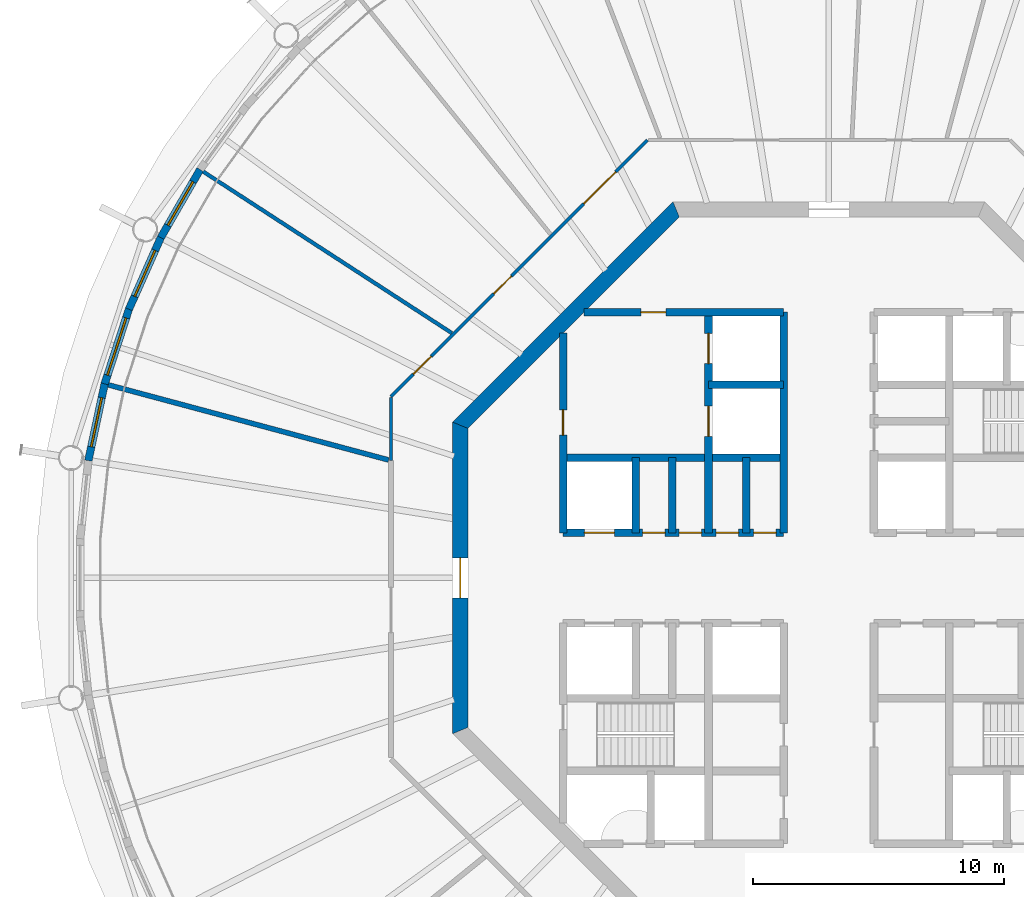
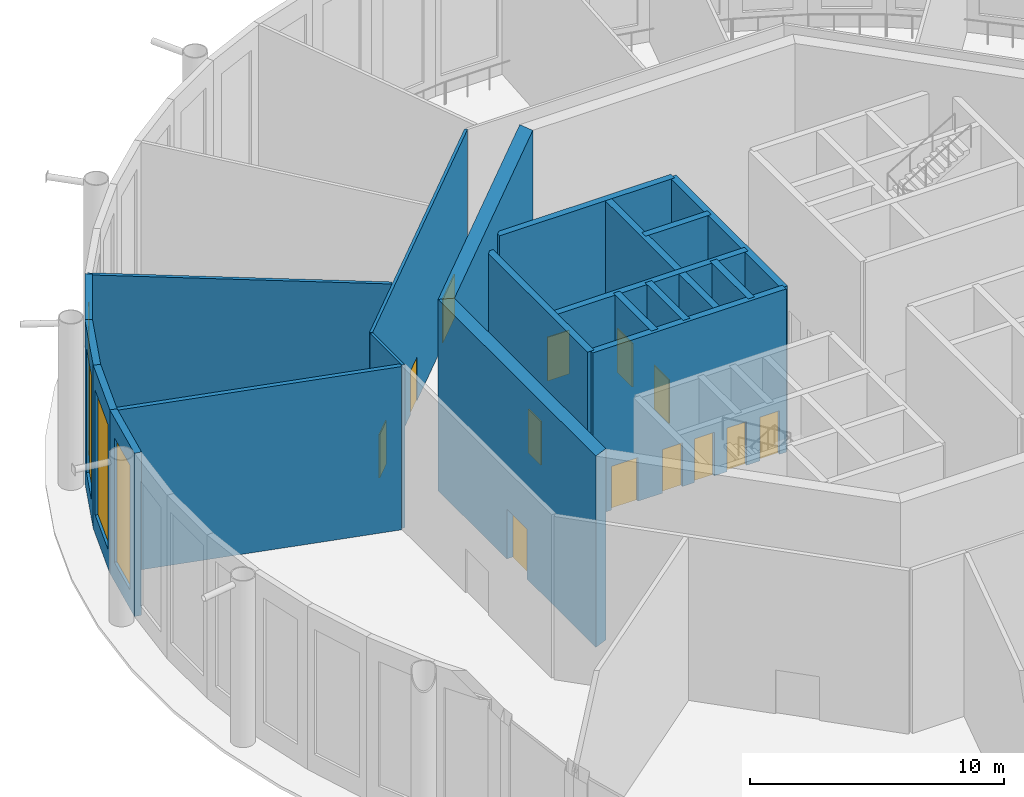
# One storey, part 6 of 17: 20 walls, 13 doors, 4 windows, 17 openings.
"""IFC4 building model written with IfcOpenShell, lengths in metres."""

from ifc_helpers import new_model, si_unit, direction, frame, frame_2d, origin, place, context, subcontext, project, spatial, polyline, rectangle, outline, extrude, material, layer, layer_set, type_object, element, fill, save


model = new_model("IFC4")

# Units and contexts
model_context = context("Model", 3, precision=1e-05, world=origin(), true_north=direction((0.0, 1.0)))
body_context = subcontext(model_context, "Body", "Model", "MODEL_VIEW")
ifc_project = project(units=[si_unit("LENGTHUNIT", "METRE"), si_unit("AREAUNIT", "SQUARE_METRE"), si_unit("VOLUMEUNIT", "CUBIC_METRE"), si_unit("PLANEANGLEUNIT", "RADIAN"), si_unit("MASSUNIT", "GRAM", prefix="KILO")], contexts=[model_context])

# Site, building, storey
site_placement = place(None, origin())
site = spatial("IfcSite", under=ifc_project, at=site_placement, CompositionType="ELEMENT")
building_placement = place(site_placement, origin())
building = spatial("IfcBuilding", under=site, at=building_placement, Name="Entoto Ring Tower", CompositionType="ELEMENT")
storey_placement = place(building_placement, frame((0.0, 0.0, 407.0)))
storey = spatial("IfcBuildingStorey", under=building, at=storey_placement, Name="L93", CompositionType="ELEMENT", Elevation=407.0)

# Walls
ifc_material_1 = material(Name="Concrete C40/50", Category="concrete")
ifc_layer_1 = layer(ifc_material_1, 0.300048828125)
ifc_layer_set_1 = layer_set([ifc_layer_1], Name="Concrete C40/50")
wall_type_1 = type_object("IfcWallType", Name="Core enclosure wall 300 mm reinforced concrete", PredefinedType="SOLIDWALL", material=ifc_layer_set_1)
wall_1_placement = place(storey_placement, frame((88.199951171875, 81.800048828125, 0.0), z_axis=(0.0, 0.0, 1.0), x_axis=(0.0, 1.0, 0.0)))
element("IfcWall", 1, at=wall_1_placement, inside=storey, type_object=wall_type_1, Name="wall-L93-011", PredefinedType="SOLIDWALL", context=body_context, shape_type="SweptSolid", body=[
    extrude(rectangle(XDim=8.800048828125, YDim=0.300048828125, at=frame_2d((4.39990234375, 0.0))), origin(), (0.0, 0.0, 1.0), 7.85009765625),
])
wall_2_placement = place(storey_placement, frame((86.699951171875, 81.800048828125, 0.0), z_axis=(0.0, 0.0, 1.0), x_axis=(0.0, 1.0, 0.0)))
element("IfcWall", 2, at=wall_2_placement, inside=storey, type_object=wall_type_1, Name="wall-L93-012", PredefinedType="SOLIDWALL", context=body_context, shape_type="SweptSolid", body=[
    extrude(rectangle(XDim=3.0, YDim=0.300048828125, at=frame_2d((1.5, 0.0))), origin(), (0.0, 0.0, 1.0), 7.85009765625),
])

# Wall, openings, doors
wall_3_placement = place(storey_placement, frame((85.199951171875, 81.800048828125, 0.0), z_axis=(0.0, 0.0, 1.0), x_axis=(0.0, 1.0, 0.0)))
wall_3 = element("IfcWall", 3, at=wall_3_placement, inside=storey, type_object=wall_type_1, Name="wall-L93-014", PredefinedType="SOLIDWALL", context=body_context, shape_type="SweptSolid", body=[
    extrude(rectangle(XDim=8.800048828125, YDim=0.300048828125, at=frame_2d((4.39990234375, 0.0))), origin(), (0.0, 0.0, 1.0), 7.85009765625),
])
opening_1_placement = place(wall_3_placement, frame((3.85009765625, 0.0, 0.0)))
opening_1 = element("IfcOpeningElement", 4, at=opening_1_placement, cuts=wall_3, Name="Opening LD", PredefinedType="OPENING", context=body_context, shape_type="SweptSolid", body=[
    extrude(rectangle(XDim=1.199951171875, YDim=2.10009765625, at=frame_2d((0.60009765625, 1.050048828125))), frame((0.0, 0.16015625, 0.0), z_axis=(0.0, -1.0, 0.0), x_axis=(1.0, 0.0, 0.0)), (0.0, 0.0, 1.0), 0.320068359375),
])
opening_2_placement = place(wall_3_placement, frame((6.75, 0.0, 0.0)))
opening_2 = element("IfcOpeningElement", 5, at=opening_2_placement, cuts=wall_3, Name="Opening LD", PredefinedType="OPENING", context=body_context, shape_type="SweptSolid", body=[
    extrude(rectangle(XDim=1.199951171875, YDim=2.10009765625, at=frame_2d((0.60009765625, 1.050048828125))), frame((0.0, 0.16015625, 0.0), z_axis=(0.0, -1.0, 0.0), x_axis=(1.0, 0.0, 0.0)), (0.0, 0.0, 1.0), 0.320068359375),
])
ifc_material_2 = material(Name="Steel and glass door leaf", Category="steel")
ifc_layer_2 = layer(ifc_material_2, 0.050048828125)
ifc_layer_set_2 = layer_set([ifc_layer_2], Name="Steel and glass door leaf")
door_type_1 = type_object("IfcDoorType", Name="Landing door 1200 x 2100 sliding", OperationType="DOUBLE_DOOR_SLIDING", PredefinedType="DOOR", material=ifc_layer_set_2)
door_1_placement = place(opening_1_placement, origin())
door_1 = element("IfcDoor", 6, at=door_1_placement, inside=storey, type_object=door_type_1, Name="Landing door FF1", OperationType="SLIDING_TO_RIGHT", OverallHeight=2.10009765625, OverallWidth=1.199951171875, PredefinedType="DOOR", context=body_context, shape_type="SweptSolid", body=[
    extrude(rectangle(XDim=1.199951171875, YDim=2.10009765625, at=frame_2d((0.60009765625, 1.050048828125))), frame((0.0, 0.02490234375, 0.0), z_axis=(0.0, -1.0, 0.0), x_axis=(1.0, 0.0, 0.0)), (0.0, 0.0, 1.0), 0.050048828125),
])
fill(opening_1, door_1)
door_2_placement = place(opening_2_placement, origin())
door_2 = element("IfcDoor", 7, at=door_2_placement, inside=storey, type_object=door_type_1, Name="Landing door FF2", OperationType="SLIDING_TO_RIGHT", OverallHeight=2.10009765625, OverallWidth=1.199951171875, PredefinedType="DOOR", context=body_context, shape_type="SweptSolid", body=[
    extrude(rectangle(XDim=1.199951171875, YDim=2.10009765625, at=frame_2d((0.60009765625, 1.050048828125))), frame((0.0, 0.02490234375, 0.0), z_axis=(0.0, -1.0, 0.0), x_axis=(1.0, 0.0, 0.0)), (0.0, 0.0, 1.0), 0.050048828125),
])
fill(opening_2, door_2)

# Walls
for number, where, z_axis, x_axis, name in (
    (8, (83.75, 81.800048828125, 0.0), (0.0, 0.0, 1.0), (0.0, 1.0, 0.0), "wall-L93-016"),
    (9, (82.300048828125, 81.800048828125, 0.0), (0.0, 0.0, 1.0), (0.0, 1.0, 0.0), "wall-L93-019"),
):
    element("IfcWall", number, at=place(storey_placement, frame(where, z_axis=z_axis, x_axis=x_axis)), inside=storey, type_object=wall_type_1, Name=name, PredefinedType="SOLIDWALL", context=body_context, shape_type="SweptSolid", body=[
        extrude(rectangle(XDim=3.0, YDim=0.300048828125, at=frame_2d((1.5, 0.0))), origin(), (0.0, 0.0, 1.0), 7.85009765625),
    ])

# Wall, opening, door
wall_4_placement = place(storey_placement, frame((79.39990234375, 81.800048828125, 0.0), z_axis=(0.0, 0.0, 1.0), x_axis=(0.0, 1.0, 0.0)))
wall_4 = element("IfcWall", 10, at=wall_4_placement, inside=storey, type_object=wall_type_1, Name="wall-L93-021", PredefinedType="SOLIDWALL", context=body_context, shape_type="SweptSolid", body=[
    extrude(rectangle(XDim=7.964599609375, YDim=0.300048828125, at=frame_2d((3.982421875, 0.0))), origin(), (0.0, 0.0, 1.0), 7.85009765625),
])
opening_3_placement = place(wall_4_placement, frame((3.89990234375, 0.0, 0.0)))
opening_3 = element("IfcOpeningElement", 11, at=opening_3_placement, cuts=wall_4, Name="Opening K-88", PredefinedType="OPENING", context=body_context, shape_type="SweptSolid", body=[
    extrude(rectangle(XDim=1.0, YDim=2.10009765625, at=frame_2d((0.5, 1.050048828125))), frame((0.0, 0.16015625, 0.0), z_axis=(0.0, -1.0, 0.0), x_axis=(1.0, 0.0, 0.0)), (0.0, 0.0, 1.0), 0.320068359375),
])
ifc_material_3 = material(Name="Steel door leaf, fire rated", Category="steel")
ifc_layer_3 = layer(ifc_material_3, 0.050048828125)
ifc_layer_set_3 = layer_set([ifc_layer_3], Name="Steel door leaf, fire rated")
door_type_2 = type_object("IfcDoorType", Name="Fire door FD60 1000 x 2100 single leaf", OperationType="NOTDEFINED", PredefinedType="DOOR", material=ifc_layer_set_3)
door_3_placement = place(opening_3_placement, frame((1.0, 0.0, 0.0), z_axis=(0.0, 0.0, 1.0), x_axis=(-1.0, 0.0, 0.0)))
door_3 = element("IfcDoor", 12, at=door_3_placement, inside=storey, type_object=door_type_2, Name="Door K-88", OperationType="SINGLE_SWING_LEFT", OverallHeight=2.10009765625, OverallWidth=1.0, PredefinedType="DOOR", context=body_context, shape_type="SweptSolid", body=[
    extrude(rectangle(XDim=1.0, YDim=2.10009765625, at=frame_2d((0.5, 1.050048828125))), frame((0.0, 0.02490234375, 0.0), z_axis=(0.0, -1.0, 0.0), x_axis=(1.0, 0.0, 0.0)), (0.0, 0.0, 1.0), 0.050048828125),
])
fill(opening_3, door_3)

# Wall, openings, doors
wall_5_placement = place(storey_placement, frame((79.39990234375, 81.800048828125, 0.0), z_axis=(0.0, 0.0, 1.0), x_axis=(1.0, 0.0, 0.0)))
wall_5 = element("IfcWall", 13, at=wall_5_placement, inside=storey, type_object=wall_type_1, Name="wall-L93-030", PredefinedType="SOLIDWALL", context=body_context, shape_type="SweptSolid", body=[
    extrude(rectangle(XDim=8.800048828125, YDim=0.300048828125, at=frame_2d((4.39990234375, 0.0))), origin(), (0.0, 0.0, 1.0), 7.85009765625),
])
opening_4_placement = place(wall_5_placement, frame((0.85009765625, 0.0, 0.0)))
opening_4 = element("IfcOpeningElement", 14, at=opening_4_placement, cuts=wall_5, Name="Opening LD", PredefinedType="OPENING", context=body_context, shape_type="SweptSolid", body=[
    extrude(rectangle(XDim=1.199951171875, YDim=2.10009765625, at=frame_2d((0.60009765625, 1.050048828125))), frame((0.0, 0.16015625, 0.0), z_axis=(0.0, -1.0, 0.0), x_axis=(1.0, 0.0, 0.0)), (0.0, 0.0, 1.0), 0.320068359375),
])
opening_5_placement = place(wall_5_placement, frame((3.175048828125, 0.0, 0.0)))
opening_5 = element("IfcOpeningElement", 15, at=opening_5_placement, cuts=wall_5, Name="Opening K-14", PredefinedType="OPENING", context=body_context, shape_type="SweptSolid", body=[
    extrude(rectangle(XDim=0.89990234375, YDim=2.10009765625, at=frame_2d((0.449951171875, 1.050048828125))), frame((0.0, 0.16015625, 0.0), z_axis=(0.0, -1.0, 0.0), x_axis=(1.0, 0.0, 0.0)), (0.0, 0.0, 1.0), 0.320068359375),
])
opening_6_placement = place(wall_5_placement, frame((4.625, 0.0, 0.0)))
opening_6 = element("IfcOpeningElement", 16, at=opening_6_placement, cuts=wall_5, Name="Opening K-15", PredefinedType="OPENING", context=body_context, shape_type="SweptSolid", body=[
    extrude(rectangle(XDim=0.89990234375, YDim=2.10009765625, at=frame_2d((0.449951171875, 1.050048828125))), frame((0.0, 0.16015625, 0.0), z_axis=(0.0, -1.0, 0.0), x_axis=(1.0, 0.0, 0.0)), (0.0, 0.0, 1.0), 0.320068359375),
])
opening_7_placement = place(wall_5_placement, frame((6.10009765625, 0.0, 0.0)))
opening_7 = element("IfcOpeningElement", 17, at=opening_7_placement, cuts=wall_5, Name="Opening K-25", PredefinedType="OPENING", context=body_context, shape_type="SweptSolid", body=[
    extrude(rectangle(XDim=0.89990234375, YDim=2.10009765625, at=frame_2d((0.449951171875, 1.050048828125))), frame((0.0, 0.16015625, 0.0), z_axis=(0.0, -1.0, 0.0), x_axis=(1.0, 0.0, 0.0)), (0.0, 0.0, 1.0), 0.320068359375),
])
opening_8_placement = place(wall_5_placement, frame((7.60009765625, 0.0, 0.0)))
opening_8 = element("IfcOpeningElement", 18, at=opening_8_placement, cuts=wall_5, Name="Opening K-77", PredefinedType="OPENING", context=body_context, shape_type="SweptSolid", body=[
    extrude(rectangle(XDim=0.89990234375, YDim=2.10009765625, at=frame_2d((0.449951171875, 1.050048828125))), frame((0.0, 0.16015625, 0.0), z_axis=(0.0, -1.0, 0.0), x_axis=(1.0, 0.0, 0.0)), (0.0, 0.0, 1.0), 0.320068359375),
])
ifc_material_4 = material(Name="Steel door leaf, fire rated", Category="steel")
ifc_layer_4 = layer(ifc_material_4, 0.050048828125)
ifc_layer_set_4 = layer_set([ifc_layer_4], Name="Steel door leaf, fire rated")
door_type_3 = type_object("IfcDoorType", Name="Core door 900 x 2100 single leaf", OperationType="NOTDEFINED", PredefinedType="DOOR", material=ifc_layer_set_4)
door_4_placement = place(opening_5_placement, origin())
door_4 = element("IfcDoor", 19, at=door_4_placement, inside=storey, type_object=door_type_3, Name="Door K-14", OperationType="SINGLE_SWING_RIGHT", OverallHeight=2.10009765625, OverallWidth=0.89990234375, PredefinedType="DOOR", context=body_context, shape_type="SweptSolid", body=[
    extrude(rectangle(XDim=0.89990234375, YDim=2.10009765625, at=frame_2d((0.449951171875, 1.050048828125))), frame((0.0, 0.02490234375, 0.0), z_axis=(0.0, -1.0, 0.0), x_axis=(1.0, 0.0, 0.0)), (0.0, 0.0, 1.0), 0.050048828125),
])
fill(opening_5, door_4)
door_5_placement = place(opening_6_placement, frame((0.89990234375, 0.0, 0.0), z_axis=(0.0, 0.0, 1.0), x_axis=(-1.0, 0.0, 0.0)))
door_5 = element("IfcDoor", 20, at=door_5_placement, inside=storey, type_object=door_type_3, Name="Door K-15", OperationType="SINGLE_SWING_RIGHT", OverallHeight=2.10009765625, OverallWidth=0.89990234375, PredefinedType="DOOR", context=body_context, shape_type="SweptSolid", body=[
    extrude(rectangle(XDim=0.89990234375, YDim=2.10009765625, at=frame_2d((0.449951171875, 1.050048828125))), frame((0.0, 0.02490234375, 0.0), z_axis=(0.0, -1.0, 0.0), x_axis=(1.0, 0.0, 0.0)), (0.0, 0.0, 1.0), 0.050048828125),
])
fill(opening_6, door_5)
door_6_placement = place(opening_7_placement, frame((0.89990234375, 0.0, 0.0), z_axis=(0.0, 0.0, 1.0), x_axis=(-1.0, 0.0, 0.0)))
door_6 = element("IfcDoor", 21, at=door_6_placement, inside=storey, type_object=door_type_3, Name="Door K-25", OperationType="SINGLE_SWING_RIGHT", OverallHeight=2.10009765625, OverallWidth=0.89990234375, PredefinedType="DOOR", context=body_context, shape_type="SweptSolid", body=[
    extrude(rectangle(XDim=0.89990234375, YDim=2.10009765625, at=frame_2d((0.449951171875, 1.050048828125))), frame((0.0, 0.02490234375, 0.0), z_axis=(0.0, -1.0, 0.0), x_axis=(1.0, 0.0, 0.0)), (0.0, 0.0, 1.0), 0.050048828125),
])
fill(opening_7, door_6)
door_7_placement = place(opening_8_placement, frame((0.89990234375, 0.0, 0.0), z_axis=(0.0, 0.0, 1.0), x_axis=(-1.0, 0.0, 0.0)))
door_7 = element("IfcDoor", 22, at=door_7_placement, inside=storey, type_object=door_type_3, Name="Door K-77", OperationType="SINGLE_SWING_RIGHT", OverallHeight=2.10009765625, OverallWidth=0.89990234375, PredefinedType="DOOR", context=body_context, shape_type="SweptSolid", body=[
    extrude(rectangle(XDim=0.89990234375, YDim=2.10009765625, at=frame_2d((0.449951171875, 1.050048828125))), frame((0.0, 0.02490234375, 0.0), z_axis=(0.0, -1.0, 0.0), x_axis=(1.0, 0.0, 0.0)), (0.0, 0.0, 1.0), 0.050048828125),
])
fill(opening_8, door_7)
door_8_placement = place(opening_4_placement, origin())
door_8 = element("IfcDoor", 23, at=door_8_placement, inside=storey, type_object=door_type_1, Name="Landing door SH1", OperationType="SLIDING_TO_RIGHT", OverallHeight=2.10009765625, OverallWidth=1.199951171875, PredefinedType="DOOR", context=body_context, shape_type="SweptSolid", body=[
    extrude(rectangle(XDim=1.199951171875, YDim=2.10009765625, at=frame_2d((0.60009765625, 1.050048828125))), frame((0.0, 0.02490234375, 0.0), z_axis=(0.0, -1.0, 0.0), x_axis=(1.0, 0.0, 0.0)), (0.0, 0.0, 1.0), 0.050048828125),
])
fill(opening_4, door_8)

# Walls
wall_6_placement = place(storey_placement, frame((79.39990234375, 84.800048828125, 0.0), z_axis=(0.0, 0.0, 1.0), x_axis=(1.0, 0.0, 0.0)))
element("IfcWall", 24, at=wall_6_placement, inside=storey, type_object=wall_type_1, Name="wall-L93-032", PredefinedType="SOLIDWALL", context=body_context, shape_type="SweptSolid", body=[
    extrude(rectangle(XDim=8.800048828125, YDim=0.300048828125, at=frame_2d((4.39990234375, 0.0))), origin(), (0.0, 0.0, 1.0), 7.85009765625),
])
wall_7_placement = place(storey_placement, frame((85.199951171875, 87.699951171875, 0.0), z_axis=(0.0, 0.0, 1.0), x_axis=(1.0, 0.0, 0.0)))
element("IfcWall", 25, at=wall_7_placement, inside=storey, type_object=wall_type_1, Name="wall-L93-035", PredefinedType="SOLIDWALL", context=body_context, shape_type="SweptSolid", body=[
    extrude(rectangle(XDim=3.0, YDim=0.300048828125, at=frame_2d((1.5, 0.0))), origin(), (0.0, 0.0, 1.0), 7.85009765625),
])

# Wall, opening, door
wall_8_placement = place(storey_placement, frame((80.2353515625, 90.60009765625, 0.0), z_axis=(0.0, 0.0, 1.0), x_axis=(1.0, 0.0, 0.0)))
wall_8 = element("IfcWall", 26, at=wall_8_placement, inside=storey, type_object=wall_type_1, Name="wall-L93-037", PredefinedType="SOLIDWALL", context=body_context, shape_type="SweptSolid", body=[
    extrude(rectangle(XDim=7.964599609375, YDim=0.300048828125, at=frame_2d((3.982421875, 0.0))), origin(), (0.0, 0.0, 1.0), 7.85009765625),
])
opening_9_placement = place(wall_8_placement, frame((2.2646484375, 0.0, 0.0)))
opening_9 = element("IfcOpeningElement", 27, at=opening_9_placement, cuts=wall_8, Name="Opening K-35", PredefinedType="OPENING", context=body_context, shape_type="SweptSolid", body=[
    extrude(rectangle(XDim=1.0, YDim=2.10009765625, at=frame_2d((0.5, 1.050048828125))), frame((0.0, 0.16015625, 0.0), z_axis=(0.0, -1.0, 0.0), x_axis=(1.0, 0.0, 0.0)), (0.0, 0.0, 1.0), 0.320068359375),
])
door_9_placement = place(opening_9_placement, frame((1.0, 0.0, 0.0), z_axis=(0.0, 0.0, 1.0), x_axis=(-1.0, 0.0, 0.0)))
door_9 = element("IfcDoor", 28, at=door_9_placement, inside=storey, type_object=door_type_2, Name="Door K-35", OperationType="SINGLE_SWING_RIGHT", OverallHeight=2.10009765625, OverallWidth=1.0, PredefinedType="DOOR", context=body_context, shape_type="SweptSolid", body=[
    extrude(rectangle(XDim=1.0, YDim=2.10009765625, at=frame_2d((0.5, 1.050048828125))), frame((0.0, 0.02490234375, 0.0), z_axis=(0.0, -1.0, 0.0), x_axis=(1.0, 0.0, 0.0)), (0.0, 0.0, 1.0), 0.050048828125),
])
fill(opening_9, door_9)

# Wall
ifc_material_5 = material(Name="Concrete C40/50", Category="concrete")
ifc_layer_5 = layer(ifc_material_5, 0.60009765625)
ifc_layer_set_5 = layer_set([ifc_layer_5], Name="Concrete C40/50")
wall_type_2 = type_object("IfcWallType", Name="Core shear wall 600 mm reinforced concrete C40/50 to roof parapet", PredefinedType="SHEAR", material=ifc_layer_set_5)
wall_9_placement = place(storey_placement, frame((83.9111328125, 94.699951171875, 0.0), z_axis=(0.0, 0.0, 1.0), x_axis=(-0.707106781187, -0.707106781187, 0.0)))
element("IfcWall", 29, at=wall_9_placement, inside=storey, type_object=wall_type_2, Name="wall-L93-core-3", PredefinedType="SHEAR", context=body_context, shape_type="SweptSolid", body=[
    extrude(outline(polyline([(-0.124267578125, -0.300048828125), (12.30224609375, -0.300048828125), (12.0537109375, 0.300048828125), (0.124267578125, 0.300048828125), (-0.124267578125, -0.300048828125)])), origin(), (0.0, 0.0, 1.0), 9.199951171875),
])

# Wall, opening, door
wall_10_placement = place(storey_placement, frame((75.300048828125, 86.0888671875, 0.0), z_axis=(0.0, 0.0, 1.0), x_axis=(0.0, -1.0, 0.0)))
wall_10 = element("IfcWall", 30, at=wall_10_placement, inside=storey, type_object=wall_type_2, Name="wall-L93-core-4", PredefinedType="SHEAR", context=body_context, shape_type="SweptSolid", body=[
    extrude(outline(polyline([(-0.124267578125, -0.300048828125), (12.302001953125, -0.300048828125), (12.053466796875, 0.300048828125), (0.124267578125, 0.300048828125), (-0.124267578125, -0.300048828125)])), origin(), (0.0, 0.0, 1.0), 9.199951171875),
])
opening_10_placement = place(wall_10_placement, frame((5.288818359375, 0.0, 0.0)))
opening_10 = element("IfcOpeningElement", 31, at=opening_10_placement, cuts=wall_10, Name="Opening K-03", PredefinedType="OPENING", context=body_context, shape_type="SweptSolid", body=[
    extrude(rectangle(XDim=1.60009765625, YDim=2.39990234375, at=frame_2d((0.800048828125, 1.199951171875))), frame((0.0, 0.31005859375, 0.0), z_axis=(0.0, -1.0, 0.0), x_axis=(1.0, 0.0, 0.0)), (0.0, 0.0, 1.0), 0.6201171875),
])
ifc_material_6 = material(Name="Steel door leaf, fire rated", Category="steel")
ifc_layer_6 = layer(ifc_material_6, 0.050048828125)
ifc_layer_set_6 = layer_set([ifc_layer_6], Name="Steel door leaf, fire rated")
door_type_4 = type_object("IfcDoorType", Name="Entrance door FD60 1600 x 2400 double leaf", OperationType="DOUBLE_DOOR_SINGLE_SWING", PredefinedType="DOOR", material=ifc_layer_set_6)
door_10_placement = place(opening_10_placement, origin())
door_10 = element("IfcDoor", 32, at=door_10_placement, inside=storey, type_object=door_type_4, Name="Entrance door K-03", OperationType="DOUBLE_DOOR_SINGLE_SWING", OverallHeight=2.39990234375, OverallWidth=1.60009765625, PredefinedType="DOOR", context=body_context, shape_type="SweptSolid", body=[
    extrude(rectangle(XDim=1.60009765625, YDim=2.39990234375, at=frame_2d((0.800048828125, 1.199951171875))), frame((0.0, 0.02490234375, 0.0), z_axis=(0.0, -1.0, 0.0), x_axis=(1.0, 0.0, 0.0)), (0.0, 0.0, 1.0), 0.050048828125),
])
fill(opening_10, door_10)

# Wall, openings, doors
ifc_material_7 = material(Name="Fire-resisting plasterboard on steel studs", Category="steel")
ifc_layer_7 = layer(ifc_material_7, 0.125)
ifc_layer_set_7 = layer_set([ifc_layer_7], Name="Fire-resisting plasterboard on steel studs")
wall_type_3 = type_object("IfcWallType", Name="Corridor wall 125 mm one-hour plasterboard on steel studs", PredefinedType="PARTITIONING", material=ifc_layer_set_7)
wall_11_placement = place(storey_placement, frame((72.53759765625, 87.233154296875, 0.0), z_axis=(0.0, 0.0, 1.0), x_axis=(0.707106781187, 0.707106781187, 0.0)))
wall_11 = element("IfcWall", 33, at=wall_11_placement, inside=storey, type_object=wall_type_3, Name="partition-L93-001", PredefinedType="PARTITIONING", context=body_context, shape_type="SweptSolid", body=[
    extrude(rectangle(XDim=14.46630859375, YDim=0.125, at=frame_2d((7.233154296875, 0.0))), origin(), (0.0, 0.0, 1.0), 7.85009765625),
])
opening_11_placement = place(wall_11_placement, frame((10.867431640625, 0.0, 0.0)))
opening_11 = element("IfcOpeningElement", 34, at=opening_11_placement, cuts=wall_11, Name="Opening A41-D05", PredefinedType="OPENING", context=body_context, shape_type="SweptSolid", body=[
    extrude(rectangle(XDim=1.800048828125, YDim=2.10009765625, at=frame_2d((0.89990234375, 1.050048828125))), frame((0.0, 0.072509765625, 0.0), z_axis=(0.0, -1.0, 0.0), x_axis=(1.0, 0.0, 0.0)), (0.0, 0.0, 1.0), 0.14501953125),
])
opening_12_placement = place(wall_11_placement, frame((5.794921875, 0.0, 0.0)))
opening_12 = element("IfcOpeningElement", 35, at=opening_12_placement, cuts=wall_11, Name="Opening A41-D06", PredefinedType="OPENING", context=body_context, shape_type="SweptSolid", body=[
    extrude(rectangle(XDim=1.0, YDim=2.10009765625, at=frame_2d((0.5, 1.050048828125))), frame((0.0, 0.072509765625, 0.0), z_axis=(0.0, -1.0, 0.0), x_axis=(1.0, 0.0, 0.0)), (0.0, 0.0, 1.0), 0.14501953125),
])
opening_13_placement = place(wall_11_placement, frame((1.2607421875, 0.0, 0.0)))
opening_13 = element("IfcOpeningElement", 36, at=opening_13_placement, cuts=wall_11, Name="Opening A41-D07", PredefinedType="OPENING", context=body_context, shape_type="SweptSolid", body=[
    extrude(rectangle(XDim=1.0, YDim=2.10009765625, at=frame_2d((0.5, 1.050048828125))), frame((0.0, 0.072509765625, 0.0), z_axis=(0.0, -1.0, 0.0), x_axis=(1.0, 0.0, 0.0)), (0.0, 0.0, 1.0), 0.14501953125),
])
ifc_material_8 = material(Name="Fire-resisting timber door set", Category="wood")
door_type_5 = type_object("IfcDoorType", Name="Door 1000 x 2100 single leaf FD30S fire door", OperationType="NOTDEFINED", PredefinedType="DOOR", material=ifc_material_8)
door_11_placement = place(opening_12_placement, origin())
door_11 = element("IfcDoor", 37, at=door_11_placement, inside=storey, type_object=door_type_5, Name="Door A41-D06", OperationType="SINGLE_SWING_RIGHT", OverallHeight=2.10009765625, OverallWidth=1.0, PredefinedType="DOOR", context=body_context, shape_type="SweptSolid", body=[
    extrude(rectangle(XDim=1.0, YDim=2.10009765625, at=frame_2d((0.5, 1.050048828125))), frame((0.0, 0.02490234375, 0.0), z_axis=(0.0, -1.0, 0.0), x_axis=(1.0, 0.0, 0.0)), (0.0, 0.0, 1.0), 0.050048828125),
])
fill(opening_12, door_11)
door_12_placement = place(opening_13_placement, origin())
door_12 = element("IfcDoor", 38, at=door_12_placement, inside=storey, type_object=door_type_5, Name="Door A41-D07", OperationType="SINGLE_SWING_LEFT", OverallHeight=2.10009765625, OverallWidth=1.0, PredefinedType="DOOR", context=body_context, shape_type="SweptSolid", body=[
    extrude(rectangle(XDim=1.0, YDim=2.10009765625, at=frame_2d((0.5, 1.050048828125))), frame((0.0, 0.02490234375, 0.0), z_axis=(0.0, -1.0, 0.0), x_axis=(1.0, 0.0, 0.0)), (0.0, 0.0, 1.0), 0.050048828125),
])
fill(opening_13, door_12)
ifc_material_9 = material(Name="Fire-resisting timber door set", Category="wood")
door_type_6 = type_object("IfcDoorType", Name="Door 1800 x 2100 double leaf FD30S fire door", OperationType="DOUBLE_DOOR_SINGLE_SWING", PredefinedType="DOOR", material=ifc_material_9)
door_13_placement = place(opening_11_placement, origin())
door_13 = element("IfcDoor", 39, at=door_13_placement, inside=storey, type_object=door_type_6, Name="Door A41-D05", OperationType="DOUBLE_DOOR_SINGLE_SWING", OverallHeight=2.10009765625, OverallWidth=1.800048828125, PredefinedType="DOOR", context=body_context, shape_type="SweptSolid", body=[
    extrude(rectangle(XDim=1.800048828125, YDim=2.10009765625, at=frame_2d((0.89990234375, 1.050048828125))), frame((0.0, 0.02490234375, 0.0), z_axis=(0.0, -1.0, 0.0), x_axis=(1.0, 0.0, 0.0)), (0.0, 0.0, 1.0), 0.050048828125),
])
fill(opening_11, door_13)

# Wall
wall_12_placement = place(storey_placement, frame((72.53759765625, 84.67919921875, 0.0), z_axis=(0.0, 0.0, 1.0), x_axis=(0.0, 1.0, 0.0)))
element("IfcWall", 40, at=wall_12_placement, inside=storey, type_object=wall_type_3, Name="partition-L93-006", PredefinedType="PARTITIONING", context=body_context, shape_type="SweptSolid", body=[
    extrude(rectangle(XDim=2.510009765625, YDim=0.125, at=frame_2d((1.2548828125, 0.0))), origin(), (0.0, 0.0, 1.0), 7.85009765625),
])

# Wall, opening, window
ifc_material_10 = material(Name="Insulated aluminium rainscreen on steel studs", Category="steel")
ifc_layer_8 = layer(ifc_material_10, 0.300048828125)
ifc_layer_set_8 = layer_set([ifc_layer_8], Name="Insulated aluminium rainscreen on steel studs")
wall_type_4 = type_object("IfcWallType", Name="Observation facade wall 300 mm", PredefinedType="STANDARD", material=ifc_layer_set_8)
wall_13_placement = place(storey_placement, frame((64.923828125, 96.28466796875, 0.0), z_axis=(0.0, 0.0, 1.0), x_axis=(-0.5000150537, -0.866016712352, 0.0)))
wall_13 = element("IfcWall", 41, at=wall_13_placement, inside=storey, type_object=wall_type_4, Name="OBSERVATION WALL 23", PredefinedType="STANDARD", context=body_context, shape_type="SweptSolid", body=[
    extrude(outline(polyline([(-0.0078125, -0.14990234375), (3.1376953125, -0.14990234375), (3.1220703125, 0.14990234375), (0.0078125, 0.14990234375), (-0.0078125, -0.14990234375)])), origin(), (0.0, 0.0, 1.0), 7.85009765625),
])
opening_14_placement = place(wall_13_placement, frame((0.56494140625, 0.0, 0.89990234375)))
opening_14 = element("IfcOpeningElement", 42, at=opening_14_placement, cuts=wall_13, Name="Opening W2", PredefinedType="OPENING", context=body_context, shape_type="SweptSolid", body=[
    extrude(rectangle(XDim=2.0, YDim=6.0, at=frame_2d((1.0, 3.0))), frame((0.0, 0.16015625, 0.0), z_axis=(0.0, -1.0, 0.0), x_axis=(1.0, 0.0, 0.0)), (0.0, 0.0, 1.0), 0.320068359375),
])
ifc_material_11 = material(Name="Clear low-iron glass in anodised aluminium frame", Category="aluminium")
window_type_1 = type_object("IfcWindowType", Name="Observation window W2 2000 x 6000 mm fixed", PartitioningType="SINGLE_PANEL", PredefinedType="WINDOW", material=ifc_material_11)
window_1_placement = place(opening_14_placement, origin())
window_1 = element("IfcWindow", 43, at=window_1_placement, inside=storey, type_object=window_type_1, Name="OBSERVATION WINDOW 23", OverallHeight=6.0, OverallWidth=2.0, PartitioningType="SINGLE_PANEL", PredefinedType="WINDOW", context=body_context, shape_type="SweptSolid", body=[
    extrude(rectangle(XDim=2.0, YDim=6.0, at=frame_2d((1.0, 3.0))), frame((0.0, 0.030029296875, 0.0), z_axis=(0.0, -1.0, 0.0), x_axis=(1.0, 0.0, 0.0)), (0.0, 0.0, 1.0), 0.06005859375),
])
fill(opening_14, window_1)

wall_14_placement = place(storey_placement, frame((63.35888671875, 93.57421875, 0.0), z_axis=(0.0, 0.0, 1.0), x_axis=(-0.406731881889, -0.913547577445, 0.0)))
wall_14 = element("IfcWall", 44, at=wall_14_placement, inside=storey, type_object=wall_type_4, Name="OBSERVATION WALL 24", PredefinedType="STANDARD", context=body_context, shape_type="SweptSolid", body=[
    extrude(outline(polyline([(-0.0078125, -0.14990234375), (3.137451171875, -0.14990234375), (3.121826171875, 0.14990234375), (0.0078125, 0.14990234375), (-0.0078125, -0.14990234375)])), origin(), (0.0, 0.0, 1.0), 7.85009765625),
])
opening_15_placement = place(wall_14_placement, frame((0.56494140625, 0.0, 0.89990234375)))
opening_15 = element("IfcOpeningElement", 45, at=opening_15_placement, cuts=wall_14, Name="Opening W2", PredefinedType="OPENING", context=body_context, shape_type="SweptSolid", body=[
    extrude(rectangle(XDim=2.0, YDim=6.0, at=frame_2d((1.0, 3.0))), frame((0.0, 0.16015625, 0.0), z_axis=(0.0, -1.0, 0.0), x_axis=(1.0, 0.0, 0.0)), (0.0, 0.0, 1.0), 0.320068359375),
])
window_2_placement = place(opening_15_placement, origin())
window_2 = element("IfcWindow", 46, at=window_2_placement, inside=storey, type_object=window_type_1, Name="OBSERVATION WINDOW 24", OverallHeight=6.0, OverallWidth=2.0, PartitioningType="SINGLE_PANEL", PredefinedType="WINDOW", context=body_context, shape_type="SweptSolid", body=[
    extrude(rectangle(XDim=2.0, YDim=6.0, at=frame_2d((1.0, 3.0))), frame((0.0, 0.030029296875, 0.0), z_axis=(0.0, -1.0, 0.0), x_axis=(1.0, 0.0, 0.0)), (0.0, 0.0, 1.0), 0.06005859375),
])
fill(opening_15, window_2)

wall_15_placement = place(storey_placement, frame((62.0859375, 90.715087890625, 0.0), z_axis=(0.0, 0.0, 1.0), x_axis=(-0.309010219079, -0.951058717696, 0.0)))
wall_15 = element("IfcWall", 47, at=wall_15_placement, inside=storey, type_object=wall_type_4, Name="OBSERVATION WALL 25", PredefinedType="STANDARD", context=body_context, shape_type="SweptSolid", body=[
    extrude(outline(polyline([(-0.0078125, -0.14990234375), (3.13720703125, -0.14990234375), (3.12158203125, 0.14990234375), (0.0078125, 0.14990234375), (-0.0078125, -0.14990234375)])), origin(), (0.0, 0.0, 1.0), 7.85009765625),
])
opening_16_placement = place(wall_15_placement, frame((0.36474609375, 0.0, 0.89990234375)))
opening_16 = element("IfcOpeningElement", 48, at=opening_16_placement, cuts=wall_15, Name="Opening W1", PredefinedType="OPENING", context=body_context, shape_type="SweptSolid", body=[
    extrude(rectangle(XDim=2.39990234375, YDim=6.0, at=frame_2d((1.199951171875, 3.0))), frame((0.0, 0.16015625, 0.0), z_axis=(0.0, -1.0, 0.0), x_axis=(1.0, 0.0, 0.0)), (0.0, 0.0, 1.0), 0.320068359375),
])
ifc_material_12 = material(Name="Clear low-iron glass in anodised aluminium frame", Category="aluminium")
window_type_2 = type_object("IfcWindowType", Name="Observation window W1 2400 x 6000 mm fixed", PartitioningType="SINGLE_PANEL", PredefinedType="WINDOW", material=ifc_material_12)
window_3_placement = place(opening_16_placement, origin())
window_3 = element("IfcWindow", 49, at=window_3_placement, inside=storey, type_object=window_type_2, Name="OBSERVATION WINDOW 25", OverallHeight=6.0, OverallWidth=2.39990234375, PartitioningType="SINGLE_PANEL", PredefinedType="WINDOW", context=body_context, shape_type="SweptSolid", body=[
    extrude(rectangle(XDim=2.39990234375, YDim=6.0, at=frame_2d((1.199951171875, 3.0))), frame((0.0, 0.030029296875, 0.0), z_axis=(0.0, -1.0, 0.0), x_axis=(1.0, 0.0, 0.0)), (0.0, 0.0, 1.0), 0.06005859375),
])
fill(opening_16, window_3)

wall_16_placement = place(storey_placement, frame((61.118896484375, 87.73876953125, 0.0), z_axis=(0.0, 0.0, 1.0), x_axis=(-0.207967911336, -0.978135649005, 0.0)))
wall_16 = element("IfcWall", 50, at=wall_16_placement, inside=storey, type_object=wall_type_4, Name="OBSERVATION WALL 26", PredefinedType="STANDARD", context=body_context, shape_type="SweptSolid", body=[
    extrude(outline(polyline([(-0.0078125, -0.14990234375), (3.137451171875, -0.14990234375), (3.121826171875, 0.14990234375), (0.0078125, 0.14990234375), (-0.0078125, -0.14990234375)])), origin(), (0.0, 0.0, 1.0), 7.85009765625),
])
opening_17_placement = place(wall_16_placement, frame((0.56494140625, 0.0, 0.89990234375)))
opening_17 = element("IfcOpeningElement", 51, at=opening_17_placement, cuts=wall_16, Name="Opening W2", PredefinedType="OPENING", context=body_context, shape_type="SweptSolid", body=[
    extrude(rectangle(XDim=2.0, YDim=6.0, at=frame_2d((1.0, 3.0))), frame((0.0, 0.16015625, 0.0), z_axis=(0.0, -1.0, 0.0), x_axis=(1.0, 0.0, 0.0)), (0.0, 0.0, 1.0), 0.320068359375),
])
window_4_placement = place(opening_17_placement, origin())
window_4 = element("IfcWindow", 52, at=window_4_placement, inside=storey, type_object=window_type_1, Name="OBSERVATION WINDOW 26", OverallHeight=6.0, OverallWidth=2.0, PartitioningType="SINGLE_PANEL", PredefinedType="WINDOW", context=body_context, shape_type="SweptSolid", body=[
    extrude(rectangle(XDim=2.0, YDim=6.0, at=frame_2d((1.0, 3.0))), frame((0.0, 0.030029296875, 0.0), z_axis=(0.0, -1.0, 0.0), x_axis=(1.0, 0.0, 0.0)), (0.0, 0.0, 1.0), 0.06005859375),
])
fill(opening_17, window_4)

# Walls
ifc_material_13 = material(Name="Fire-resisting acoustic plasterboard on steel studs", Category="steel")
ifc_layer_9 = layer(ifc_material_13, 0.14990234375)
ifc_layer_set_9 = layer_set([ifc_layer_9], Name="Fire-resisting acoustic plasterboard on steel studs")
wall_type_5 = type_object("IfcWallType", Name="Party wall 150 mm one-hour acoustic plasterboard on steel studs", PredefinedType="PARTITIONING", material=ifc_layer_set_9)
wall_17_placement = place(storey_placement, frame((74.960693359375, 89.7666015625, 0.0), z_axis=(0.0, 0.0, 1.0), x_axis=(-0.838674411036, 0.544633117128, 0.0)))
element("IfcWall", 53, at=wall_17_placement, inside=storey, type_object=wall_type_5, Name="partition-L93-011", PredefinedType="PARTITIONING", context=body_context, shape_type="SweptSolid", body=[
    extrude(rectangle(XDim=12.0078125, YDim=0.14990234375, at=frame_2d((6.00390625, 0.0))), origin(), (0.0, 0.0, 1.0), 7.85009765625),
])
ifc_material_14 = material(Name="Concrete C20/25", Category="concrete")
ifc_layer_10 = layer(ifc_material_14, 0.199951171875)
ifc_layer_set_10 = layer_set([ifc_layer_10], Name="Concrete C20/25")
wall_type_6 = type_object("IfcWallType", Name="Plant room wall 200 mm two-hour concrete", PredefinedType="PARTITIONING", material=ifc_layer_set_10)
wall_18_placement = place(storey_placement, frame((72.4443359375, 84.7041015625, 0.0), z_axis=(0.0, 0.0, 1.0), x_axis=(-0.965928415005, 0.258809383689, 0.0)))
element("IfcWall", 54, at=wall_18_placement, inside=storey, type_object=wall_type_6, Name="partition-L93-019", PredefinedType="PARTITIONING", context=body_context, shape_type="SweptSolid", body=[
    extrude(rectangle(XDim=11.76513671875, YDim=0.199951171875, at=frame_2d((5.882568359375, 0.0))), origin(), (0.0, 0.0, 1.0), 7.85009765625),
])

save(model, "model.ifc")
